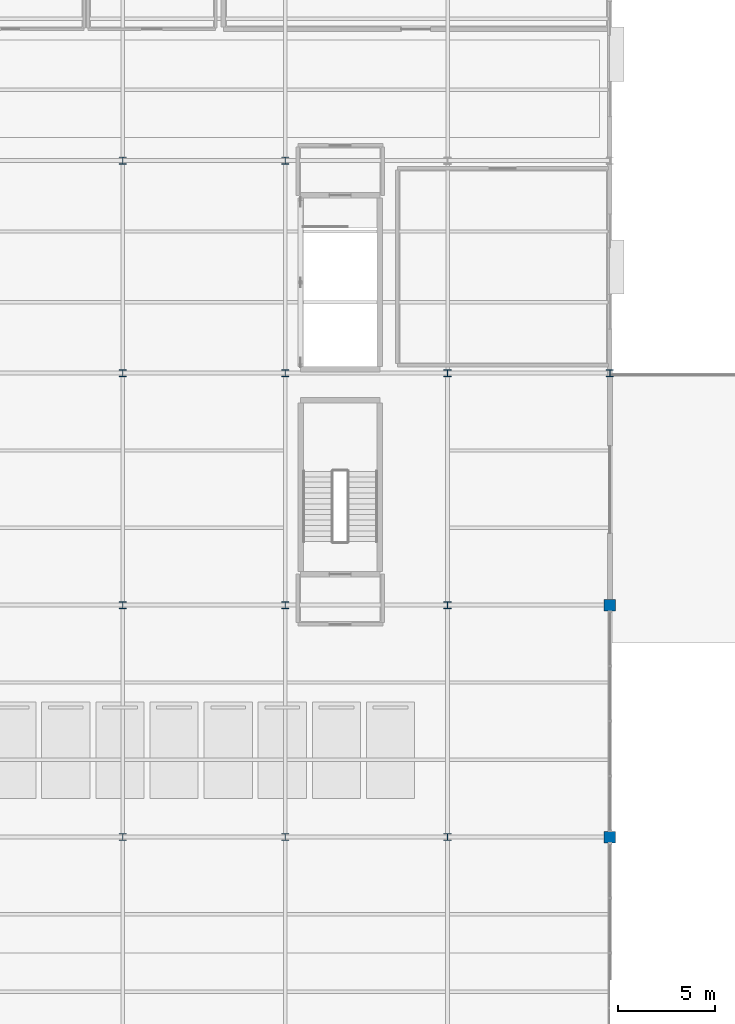
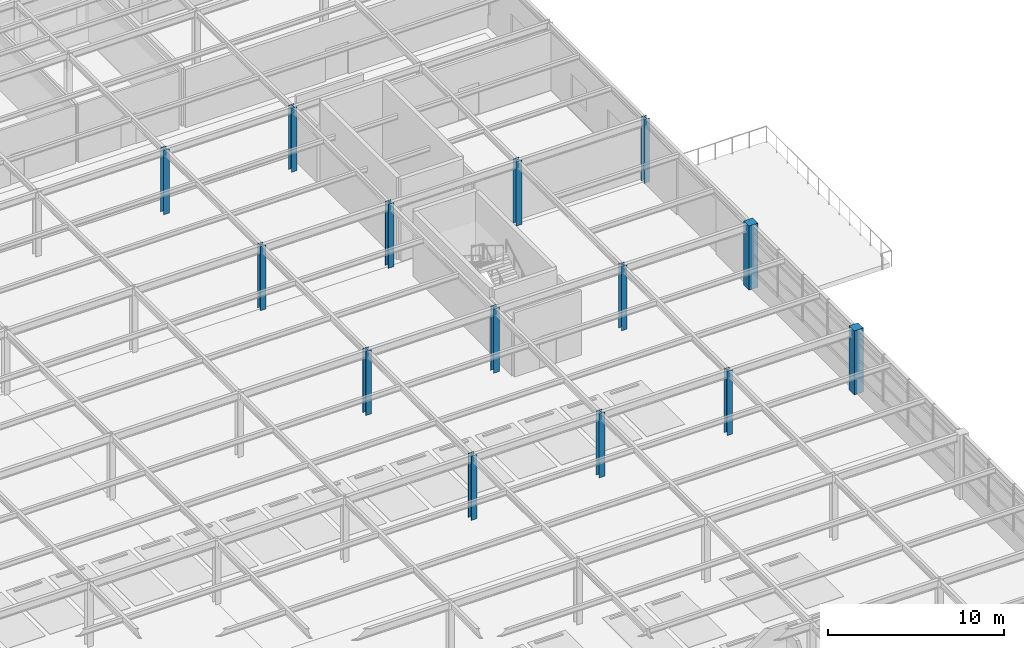
# One storey, part 14 of 82: 14 columns.
"""IFC4 building model written with IfcOpenShell, lengths in metres."""

from ifc_helpers import new_model, si_unit, direction, frame, origin, origin_2d, place, context, subcontext, project, spatial, rectangle, i_section, extrude, material, material_profile, profile_set, type_object, element, save


model = new_model("IFC4")

# Units and contexts
model_context = context("Model", 3, precision=1e-05, world=origin(), true_north=direction((0.0, 1.0)))
body_context = subcontext(model_context, "Body", "Model", "MODEL_VIEW")
ifc_project = project(units=[si_unit("LENGTHUNIT", "METRE"), si_unit("AREAUNIT", "SQUARE_METRE"), si_unit("VOLUMEUNIT", "CUBIC_METRE"), si_unit("PLANEANGLEUNIT", "RADIAN"), si_unit("MASSUNIT", "GRAM", prefix="KILO")], contexts=[model_context])

# Site, building, storey
site_placement = place(None, origin())
site = spatial("IfcSite", under=ifc_project, at=site_placement, CompositionType="ELEMENT")
building_placement = place(site_placement, origin())
building = spatial("IfcBuilding", under=site, at=building_placement, Name="Sitalva Quay Ferry Terminal", CompositionType="ELEMENT")
storey_placement = place(building_placement, frame((0.0, 0.0, 5.39990234375)))
storey = spatial("IfcBuildingStorey", under=building, at=storey_placement, Name="L02", CompositionType="ELEMENT", Elevation=5.39990234375)

# Columns
ifc_material_1 = material(Name="Concrete C35/45", Category="concrete")
ifc_material_profile_1 = material_profile(ifc_material_1, rectangle(XDim=0.60009765625, YDim=0.60009765625, at=origin_2d()), Name="RC600x600")
ifc_profile_set_1 = profile_set([ifc_material_profile_1], Name="Concrete C35/45")
column_type_1 = type_object("IfcColumnType", Name="Col_RC600x600", PredefinedType="COLUMN", material=ifc_profile_set_1)
for number, where, z_axis, x_axis, name in (
    (1, (168.0, 54.0, 0.0), (0.0, 0.0, 1.0), (1.0, 0.0, 0.0), "L02 column 21G"),
    (2, (168.0, 66.0, 0.0), (0.0, 0.0, 1.0), (1.0, 0.0, 0.0), "L02 column 21H"),
):
    element("IfcColumn", number, at=place(storey_placement, frame(where, z_axis=z_axis, x_axis=x_axis)), inside=storey, type_object=column_type_1, Name=name, PredefinedType="COLUMN", context=body_context, shape_type="SweptSolid", body=[
        extrude(rectangle(XDim=0.60009765625, YDim=0.60009765625, at=origin_2d()), origin(), (0.0, 0.0, 1.0), 4.4501953125),
    ])
ifc_material_2 = material(Name="Structural Steel S355JR", Category="steel")
ifc_material_profile_2 = material_profile(ifc_material_2, i_section(OverallWidth=0.368896484375, OverallDepth=0.35595703125, WebThickness=0.01123046875, FlangeThickness=0.01806640625, FilletRadius=0.014892578125, at=origin_2d()), Name="W360x134")
ifc_profile_set_2 = profile_set([ifc_material_profile_2], Name="Structural Steel S355JR")
column_type_2 = type_object("IfcColumnType", Name="Col_W360x134", PredefinedType="COLUMN", material=ifc_profile_set_2)
for number, where, z_axis, x_axis, name in (
    (3, (142.800048828125, 54.0, 0.0), (0.0, 0.0, 1.0), (1.0, 0.0, 0.0), "L02 column 18G"),
    (4, (151.199951171875, 54.0, 0.0), (0.0, 0.0, 1.0), (1.0, 0.0, 0.0), "L02 column 19G"),
    (5, (159.60009765625, 54.0, 0.0), (0.0, 0.0, 1.0), (1.0, 0.0, 0.0), "L02 column 20G"),
    (6, (142.800048828125, 66.0, 0.0), (0.0, 0.0, 1.0), (1.0, 0.0, 0.0), "L02 column 18H"),
    (7, (151.199951171875, 66.0, 0.0), (0.0, 0.0, 1.0), (1.0, 0.0, 0.0), "L02 column 19H"),
    (8, (159.60009765625, 66.0, 0.0), (0.0, 0.0, 1.0), (1.0, 0.0, 0.0), "L02 column 20H"),
    (9, (142.800048828125, 78.0, 0.0), (0.0, 0.0, 1.0), (1.0, 0.0, 0.0), "L02 column 18J"),
    (10, (151.199951171875, 78.0, 0.0), (0.0, 0.0, 1.0), (1.0, 0.0, 0.0), "L02 column 19J"),
    (11, (159.60009765625, 78.0, 0.0), (0.0, 0.0, 1.0), (1.0, 0.0, 0.0), "L02 column 20J"),
    (12, (168.0, 78.0, 0.0), (0.0, 0.0, 1.0), (1.0, 0.0, 0.0), "L02 column 21J"),
    (13, (142.800048828125, 89.0, 0.0), (0.0, 0.0, 1.0), (1.0, 0.0, 0.0), "L02 column 18K"),
    (14, (151.199951171875, 89.0, 0.0), (0.0, 0.0, 1.0), (1.0, 0.0, 0.0), "L02 column 19K"),
):
    element("IfcColumn", number, at=place(storey_placement, frame(where, z_axis=z_axis, x_axis=x_axis)), inside=storey, type_object=column_type_2, Name=name, PredefinedType="COLUMN", context=body_context, shape_type="SweptSolid", body=[
        extrude(i_section(OverallWidth=0.368896484375, OverallDepth=0.35595703125, WebThickness=0.01123046875, FlangeThickness=0.01806640625, FilletRadius=0.014892578125, at=origin_2d()), origin(), (0.0, 0.0, 1.0), 4.4501953125),
    ])

save(model, "model.ifc")
